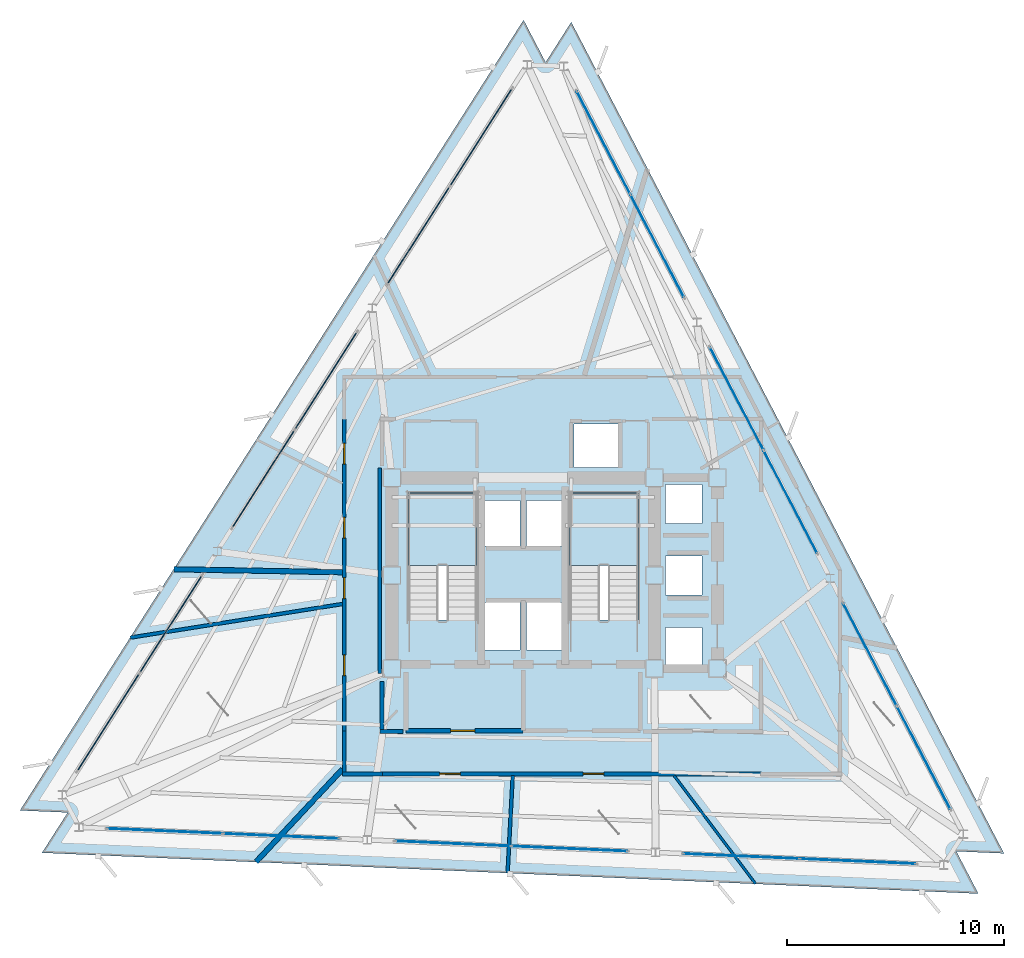
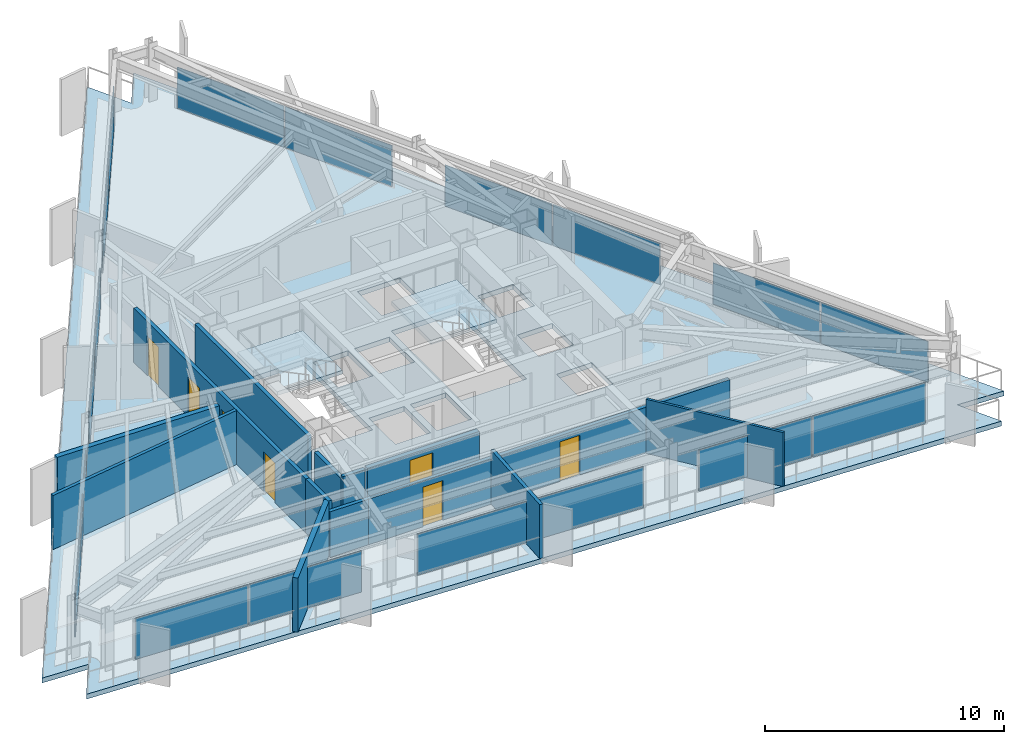
# One storey, part 7 of 12: 18 plates, 13 walls, 7 doors, 3 slabs, 7 openings, 11 elements without a shape of their own.
"""IFC4 building model written with IfcOpenShell, lengths in metres."""

from ifc_helpers import new_model, si_unit, direction, frame, frame_2d, origin, origin_2d, place, context, subcontext, project, spatial, polyline, rectangle, outline, extrude, material, layer, layer_set, type_object, element, fill, aggregate, save


model = new_model("IFC4")

# Units and contexts
model_context = context("Model", 3, precision=1e-05, world=origin(), true_north=direction((0.0, 1.0)))
body_context = subcontext(model_context, "Body", "Model", "MODEL_VIEW")
ifc_project = project(units=[si_unit("LENGTHUNIT", "METRE"), si_unit("AREAUNIT", "SQUARE_METRE"), si_unit("VOLUMEUNIT", "CUBIC_METRE"), si_unit("PLANEANGLEUNIT", "RADIAN"), si_unit("MASSUNIT", "GRAM", prefix="KILO")], contexts=[model_context])

# Site, building, storey
site_placement = place(None, origin())
site = spatial("IfcSite", under=ifc_project, at=site_placement, CompositionType="ELEMENT")
building_placement = place(site_placement, origin())
building = spatial("IfcBuilding", under=site, at=building_placement, Name="Rocaltana Carrier Exchange", CompositionType="ELEMENT")
storey_placement = place(building_placement, frame((0.0, 0.0, 141.1201171875)))
storey = spatial("IfcBuildingStorey", under=building, at=storey_placement, Name="L44", CompositionType="ELEMENT", Elevation=141.1201171875)

# Curtain wall, plates
ifc_material_1 = material(Name="Aluminium 6063-T6", Category="aluminium")
ifc_layer_1 = layer(ifc_material_1, 0.14990234375)
ifc_layer_set_1 = layer_set([ifc_layer_1], Name="Aluminium 6063-T6")
curtain_wall_type = type_object("IfcCurtainWallType", Name="Mid-Tower Unitised Curtain Wall CW-03", PredefinedType="NOTDEFINED", material=ifc_layer_set_1)
curtain_wall_1_placement = place(storey_placement, origin())
curtain_wall_1 = element("IfcCurtainWall", 1, at=curtain_wall_1_placement, inside=storey, type_object=curtain_wall_type, Name="L44 CW-03 Run CW-L44-F1S1", PredefinedType="NOTDEFINED")
ifc_material_2 = material(Name="Tempered Laminated Glass", Category="glass")
ifc_layer_2 = layer(ifc_material_2, 0.0400390625)
ifc_layer_set_2 = layer_set([ifc_layer_2], Name="Tempered Laminated Glass")
plate_type = type_object("IfcPlateType", Name="CW-03 Stone-Insulated Vision Panel", PredefinedType="CURTAIN_PANEL", material=ifc_layer_set_2)
plate_1_placement = place(storey_placement, frame((18.460693359375, -8.4111328125, 0.06005859375), z_axis=(0.0, 0.0, 1.0), x_axis=(-0.461750348962, 0.887009929614, 0.0)))
plate_1 = element("IfcPlate", 2, at=plate_1_placement, type_object=plate_type, Name="CW-03 panel 1.1", PredefinedType="CURTAIN_PANEL", context=body_context, shape_type="SweptSolid", body=[
    extrude(rectangle(XDim=5.31005859375, YDim=0.0400390625, at=origin_2d()), origin(), (0.0, 0.0, 1.0), 2.097900390625),
])
plate_2_placement = place(storey_placement, frame((15.98095703125, -3.64794921875, 0.06005859375), z_axis=(0.0, 0.0, 1.0), x_axis=(-0.461750348962, 0.887009929614, 0.0)))
plate_2 = element("IfcPlate", 3, at=plate_2_placement, type_object=plate_type, Name="CW-03 panel 2.1", PredefinedType="CURTAIN_PANEL", context=body_context, shape_type="SweptSolid", body=[
    extrude(rectangle(XDim=5.31005859375, YDim=0.0400390625, at=origin_2d()), origin(), (0.0, 0.0, 1.0), 2.097900390625),
])
aggregate(curtain_wall_1, [plate_1, plate_2])

curtain_wall_2_placement = place(storey_placement, origin())
curtain_wall_2 = element("IfcCurtainWall", 4, at=curtain_wall_2_placement, inside=storey, type_object=curtain_wall_type, Name="L44 CW-03 Run CW-L44-F1S2", PredefinedType="NOTDEFINED")
plate_3_placement = place(storey_placement, frame((12.3193359375, 3.385986328125, 0.06005859375), z_axis=(0.0, 0.0, 1.0), x_axis=(-0.461746856235, 0.887011747812, 0.0)))
plate_3 = element("IfcPlate", 5, at=plate_3_placement, type_object=plate_type, Name="CW-03 panel 1.1", PredefinedType="CURTAIN_PANEL", context=body_context, shape_type="SweptSolid", body=[
    extrude(rectangle(XDim=5.309814453125, YDim=0.0400390625, at=origin_2d()), origin(), (0.0, 0.0, 1.0), 2.097900390625),
])
plate_4_placement = place(storey_placement, frame((9.83984375, 8.1494140625, 0.06005859375), z_axis=(0.0, 0.0, 1.0), x_axis=(-0.461746856235, 0.887011747812, 0.0)))
plate_4 = element("IfcPlate", 6, at=plate_4_placement, type_object=plate_type, Name="CW-03 panel 2.1", PredefinedType="CURTAIN_PANEL", context=body_context, shape_type="SweptSolid", body=[
    extrude(rectangle(XDim=5.309814453125, YDim=0.0400390625, at=origin_2d()), origin(), (0.0, 0.0, 1.0), 2.097900390625),
])
aggregate(curtain_wall_2, [plate_3, plate_4])

curtain_wall_3_placement = place(storey_placement, origin())
curtain_wall_3 = element("IfcCurtainWall", 7, at=curtain_wall_3_placement, inside=storey, type_object=curtain_wall_type, Name="L44 CW-03 Run CW-L44-F1S3", PredefinedType="NOTDEFINED")
plate_5_placement = place(storey_placement, frame((6.17822265625, 15.183349609375, 0.06005859375), z_axis=(0.0, 0.0, 1.0), x_axis=(-0.461754141383, 0.887007955385, 0.0)))
plate_5 = element("IfcPlate", 8, at=plate_5_placement, type_object=plate_type, Name="CW-03 panel 1.1", PredefinedType="CURTAIN_PANEL", context=body_context, shape_type="SweptSolid", body=[
    extrude(rectangle(XDim=5.31005859375, YDim=0.0400390625, at=origin_2d()), origin(), (0.0, 0.0, 1.0), 2.097900390625),
])
plate_6_placement = place(storey_placement, frame((3.698486328125, 19.946533203125, 0.06005859375), z_axis=(0.0, 0.0, 1.0), x_axis=(-0.461754141383, 0.887007955385, 0.0)))
plate_6 = element("IfcPlate", 9, at=plate_6_placement, type_object=plate_type, Name="CW-03 panel 2.1", PredefinedType="CURTAIN_PANEL", context=body_context, shape_type="SweptSolid", body=[
    extrude(rectangle(XDim=5.31005859375, YDim=0.0400390625, at=origin_2d()), origin(), (0.0, 0.0, 1.0), 2.097900390625),
])
aggregate(curtain_wall_3, [plate_5, plate_6])

curtain_wall_4_placement = place(storey_placement, origin())
curtain_wall_4 = element("IfcCurtainWall", 10, at=curtain_wall_4_placement, inside=storey, type_object=curtain_wall_type, Name="L44 CW-03 Run CW-L44-F2S1", PredefinedType="NOTDEFINED")
plate_7_placement = place(storey_placement, frame((-1.946044921875, 20.19287109375, 0.06005859375), z_axis=(0.0, 0.0, 1.0), x_axis=(-0.537300801443, -0.843390685726, 0.0)))
plate_7 = element("IfcPlate", 11, at=plate_7_placement, type_object=plate_type, Name="CW-03 panel 1.1", PredefinedType="CURTAIN_PANEL", context=body_context, shape_type="SweptSolid", body=[
    extrude(rectangle(XDim=5.31005859375, YDim=0.0400390625, at=origin_2d()), origin(), (0.0, 0.0, 1.0), 2.097900390625),
])
plate_8_placement = place(storey_placement, frame((-4.831298828125, 15.663818359375, 0.06005859375), z_axis=(0.0, 0.0, 1.0), x_axis=(-0.537300801443, -0.843390685726, 0.0)))
plate_8 = element("IfcPlate", 12, at=plate_8_placement, type_object=plate_type, Name="CW-03 panel 2.1", PredefinedType="CURTAIN_PANEL", context=body_context, shape_type="SweptSolid", body=[
    extrude(rectangle(XDim=5.31005859375, YDim=0.0400390625, at=origin_2d()), origin(), (0.0, 0.0, 1.0), 2.097900390625),
])
aggregate(curtain_wall_4, [plate_7, plate_8])

curtain_wall_5_placement = place(storey_placement, origin())
curtain_wall_5 = element("IfcCurtainWall", 13, at=curtain_wall_5_placement, inside=storey, type_object=curtain_wall_type, Name="L44 CW-03 Run CW-L44-F2S2", PredefinedType="NOTDEFINED")
plate_9_placement = place(storey_placement, frame((-9.092041015625, 8.975830078125, 0.06005859375), z_axis=(0.0, 0.0, 1.0), x_axis=(-0.537300801443, -0.843390685726, 0.0)))
plate_9 = element("IfcPlate", 14, at=plate_9_placement, type_object=plate_type, Name="CW-03 panel 1.1", PredefinedType="CURTAIN_PANEL", context=body_context, shape_type="SweptSolid", body=[
    extrude(rectangle(XDim=5.31005859375, YDim=0.0400390625, at=origin_2d()), origin(), (0.0, 0.0, 1.0), 2.097900390625),
])
plate_10_placement = place(storey_placement, frame((-11.977294921875, 4.44677734375, 0.06005859375), z_axis=(0.0, 0.0, 1.0), x_axis=(-0.537300801443, -0.843390685726, 0.0)))
plate_10 = element("IfcPlate", 15, at=plate_10_placement, type_object=plate_type, Name="CW-03 panel 2.1", PredefinedType="CURTAIN_PANEL", context=body_context, shape_type="SweptSolid", body=[
    extrude(rectangle(XDim=5.31005859375, YDim=0.0400390625, at=origin_2d()), origin(), (0.0, 0.0, 1.0), 2.097900390625),
])
aggregate(curtain_wall_5, [plate_9, plate_10])

curtain_wall_6_placement = place(storey_placement, origin())
curtain_wall_6 = element("IfcCurtainWall", 16, at=curtain_wall_6_placement, inside=storey, type_object=curtain_wall_type, Name="L44 CW-03 Run CW-L44-F2S3", PredefinedType="NOTDEFINED")
plate_11_placement = place(storey_placement, frame((-16.23828125, -2.2412109375, 0.06005859375), z_axis=(0.0, 0.0, 1.0), x_axis=(-0.537300801443, -0.843390685726, 0.0)))
plate_11 = element("IfcPlate", 17, at=plate_11_placement, type_object=plate_type, Name="CW-03 panel 1.1", PredefinedType="CURTAIN_PANEL", context=body_context, shape_type="SweptSolid", body=[
    extrude(rectangle(XDim=5.31005859375, YDim=0.0400390625, at=origin_2d()), origin(), (0.0, 0.0, 1.0), 2.097900390625),
])
plate_12_placement = place(storey_placement, frame((-19.12353515625, -6.770263671875, 0.06005859375), z_axis=(0.0, 0.0, 1.0), x_axis=(-0.537300801443, -0.843390685726, 0.0)))
plate_12 = element("IfcPlate", 18, at=plate_12_placement, type_object=plate_type, Name="CW-03 panel 2.1", PredefinedType="CURTAIN_PANEL", context=body_context, shape_type="SweptSolid", body=[
    extrude(rectangle(XDim=5.31005859375, YDim=0.0400390625, at=origin_2d()), origin(), (0.0, 0.0, 1.0), 2.097900390625),
])
aggregate(curtain_wall_6, [plate_11, plate_12])

curtain_wall_7_placement = place(storey_placement, origin())
curtain_wall_7 = element("IfcCurtainWall", 19, at=curtain_wall_7_placement, inside=storey, type_object=curtain_wall_type, Name="L44 CW-03 Run CW-L44-F3S1", PredefinedType="NOTDEFINED")
plate_13_placement = place(storey_placement, frame((-16.5146484375, -11.78173828125, 0.06005859375), z_axis=(0.0, 0.0, 1.0), x_axis=(0.999047789154, -0.043629290456, 0.0)))
plate_13 = element("IfcPlate", 20, at=plate_13_placement, type_object=plate_type, Name="CW-03 panel 1.1", PredefinedType="CURTAIN_PANEL", context=body_context, shape_type="SweptSolid", body=[
    extrude(rectangle(XDim=5.31005859375, YDim=0.0400390625, at=origin_2d()), origin(), (0.0, 0.0, 1.0), 2.097900390625),
])
plate_14_placement = place(storey_placement, frame((-11.149658203125, -12.01611328125, 0.06005859375), z_axis=(0.0, 0.0, 1.0), x_axis=(0.999047789154, -0.043629290456, 0.0)))
plate_14 = element("IfcPlate", 21, at=plate_14_placement, type_object=plate_type, Name="CW-03 panel 2.1", PredefinedType="CURTAIN_PANEL", context=body_context, shape_type="SweptSolid", body=[
    extrude(rectangle(XDim=5.31005859375, YDim=0.0400390625, at=origin_2d()), origin(), (0.0, 0.0, 1.0), 2.097900390625),
])
aggregate(curtain_wall_7, [plate_13, plate_14])

curtain_wall_8_placement = place(storey_placement, origin())
curtain_wall_8 = element("IfcCurtainWall", 22, at=curtain_wall_8_placement, inside=storey, type_object=curtain_wall_type, Name="L44 CW-03 Run CW-L44-F3S2", PredefinedType="NOTDEFINED")
plate_15_placement = place(storey_placement, frame((-3.227294921875, -12.36181640625, 0.06005859375), z_axis=(0.0, 0.0, 1.0), x_axis=(0.999048175081, -0.043620452398, 0.0)))
plate_15 = element("IfcPlate", 23, at=plate_15_placement, type_object=plate_type, Name="CW-03 panel 1.1", PredefinedType="CURTAIN_PANEL", context=body_context, shape_type="SweptSolid", body=[
    extrude(rectangle(XDim=5.31005859375, YDim=0.0400390625, at=origin_2d()), origin(), (0.0, 0.0, 1.0), 2.097900390625),
])
plate_16_placement = place(storey_placement, frame((2.1376953125, -12.59619140625, 0.06005859375), z_axis=(0.0, 0.0, 1.0), x_axis=(0.999048175081, -0.043620452398, 0.0)))
plate_16 = element("IfcPlate", 24, at=plate_16_placement, type_object=plate_type, Name="CW-03 panel 2.1", PredefinedType="CURTAIN_PANEL", context=body_context, shape_type="SweptSolid", body=[
    extrude(rectangle(XDim=5.31005859375, YDim=0.0400390625, at=origin_2d()), origin(), (0.0, 0.0, 1.0), 2.097900390625),
])
aggregate(curtain_wall_8, [plate_15, plate_16])

curtain_wall_9_placement = place(storey_placement, origin())
curtain_wall_9 = element("IfcCurtainWall", 25, at=curtain_wall_9_placement, inside=storey, type_object=curtain_wall_type, Name="L44 CW-03 Run CW-L44-F3S3", PredefinedType="NOTDEFINED")
plate_17_placement = place(storey_placement, frame((10.06005859375, -12.942138671875, 0.06005859375), z_axis=(0.0, 0.0, 1.0), x_axis=(0.999047789154, -0.043629290456, 0.0)))
plate_17 = element("IfcPlate", 26, at=plate_17_placement, type_object=plate_type, Name="CW-03 panel 1.1", PredefinedType="CURTAIN_PANEL", context=body_context, shape_type="SweptSolid", body=[
    extrude(rectangle(XDim=5.31005859375, YDim=0.0400390625, at=origin_2d()), origin(), (0.0, 0.0, 1.0), 2.097900390625),
])
plate_18_placement = place(storey_placement, frame((15.425048828125, -13.17626953125, 0.06005859375), z_axis=(0.0, 0.0, 1.0), x_axis=(0.999047789154, -0.043629290456, 0.0)))
plate_18 = element("IfcPlate", 27, at=plate_18_placement, type_object=plate_type, Name="CW-03 panel 2.1", PredefinedType="CURTAIN_PANEL", context=body_context, shape_type="SweptSolid", body=[
    extrude(rectangle(XDim=5.31005859375, YDim=0.0400390625, at=origin_2d()), origin(), (0.0, 0.0, 1.0), 2.097900390625),
])
aggregate(curtain_wall_9, [plate_17, plate_18])

# Slab
ifc_material_3 = material(Name="Concrete C50/60", Category="concrete")
ifc_layer_3 = layer(ifc_material_3, 0.25)
ifc_layer_set_3 = layer_set([ifc_layer_3], Name="Concrete C50/60")
slab_type_1 = type_object("IfcSlabType", Name="Mid-Zone Tower Slab 250", PredefinedType="FLOOR", material=ifc_layer_set_3)
slab_1_placement = place(storey_placement, frame((0.0, 0.0, -0.25)))
element("IfcSlab", 28, at=slab_1_placement, inside=storey, type_object=slab_type_1, Name="L44 Structural Floor Slab", PredefinedType="FLOOR", context=body_context, shape_type="SweptSolid", body=[
    extrude(outline(polyline([(20.97998046875, -14.669921875), (19.964111328125, -12.718505859375), (22.162109375, -12.814697265625), (2.214599609375, 25.50439453125), (1.032470703125, 23.648681640625), (0.0166015625, 25.600341796875), (-23.194580078125, -10.834228515625), (-20.996826171875, -10.93017578125), (-22.1787109375, -12.78564453125), (20.97998046875, -14.669921875)]), holes=[polyline([(-5.300048828125, -2.06005859375), (-2.139892578125, -2.06005859375), (-2.139892578125, 3.800048828125), (-5.300048828125, 3.800048828125), (-5.300048828125, -2.06005859375)]), polyline([(2.139892578125, -2.06005859375), (5.300048828125, -2.06005859375), (5.300048828125, 3.800048828125), (2.139892578125, 3.800048828125), (2.139892578125, -2.06005859375)]), polyline([(-1.85009765625, -3.449951171875), (-0.14990234375, -3.449951171875), (-0.14990234375, -1.25), (-1.85009765625, -1.25), (-1.85009765625, -3.449951171875)]), polyline([(0.14990234375, -3.449951171875), (1.85009765625, -3.449951171875), (1.85009765625, -1.25), (0.14990234375, -1.25), (0.14990234375, -3.449951171875)]), polyline([(2.35009765625, 4.97998046875), (4.39990234375, 4.97998046875), (4.39990234375, 6.97998046875), (2.35009765625, 6.97998046875), (2.35009765625, 4.97998046875)]), polyline([(-1.85009765625, 1.35009765625), (-0.14990234375, 1.35009765625), (-0.14990234375, 3.449951171875), (-1.85009765625, 3.449951171875), (-1.85009765625, 1.35009765625)]), polyline([(0.14990234375, 1.35009765625), (1.85009765625, 1.35009765625), (1.85009765625, 3.449951171875), (0.14990234375, 3.449951171875), (0.14990234375, 1.35009765625)]), polyline([(6.550048828125, -4.199951171875), (8.25, -4.199951171875), (8.25, -2.39990234375), (6.550048828125, -2.39990234375), (6.550048828125, -4.199951171875)]), polyline([(6.550048828125, -0.89990234375), (8.25, -0.89990234375), (8.25, 0.89990234375), (6.550048828125, 0.89990234375), (6.550048828125, -0.89990234375)]), polyline([(6.550048828125, 2.39990234375), (8.25, 2.39990234375), (8.25, 4.199951171875), (6.550048828125, 4.199951171875), (6.550048828125, 2.39990234375)])]), origin(), (0.0, 0.0, 1.0), 0.25),
])

# Stair, slab
ifc_material_4 = material(Name="Precast concrete C45/55", Category="concrete")
stair_type = type_object("IfcStairType", Name="Standard Dog-Leg Stair 160", PredefinedType="HALF_TURN_STAIR", material=ifc_material_4)
stair_1_placement = place(storey_placement, origin())
stair_1 = element("IfcStair", 29, at=stair_1_placement, inside=storey, type_object=stair_type, Name="L44 Core West Exit Stair ST-1", PredefinedType="HALF_TURN_STAIR")
ifc_material_5 = material(Name="Precast concrete C45/55", Category="concrete")
ifc_layer_4 = layer(ifc_material_5, 0.199951171875)
ifc_layer_set_4 = layer_set([ifc_layer_4], Name="Precast concrete C45/55")
slab_type_2 = type_object("IfcSlabType", Name="Precast Stair Half-Landing 200", PredefinedType="LANDING", material=ifc_layer_set_4)
slab_2_placement = place(storey_placement, frame((0.0, 0.0, 1.31982421875)))
slab_2 = element("IfcSlab", 30, at=slab_2_placement, type_object=slab_type_2, Name="ST-1 landing 1", PredefinedType="LANDING", context=body_context, shape_type="SweptSolid", body=[
    extrude(outline(polyline([(-2.139892578125, 0.4599609375), (-2.139892578125, 3.800048828125), (-5.300048828125, 3.800048828125), (-5.300048828125, 0.4599609375), (-2.139892578125, 0.4599609375)])), origin(), (0.0, 0.0, 1.0), 0.199951171875),
])
aggregate(stair_1, [slab_2])

stair_2_placement = place(storey_placement, origin())
stair_2 = element("IfcStair", 31, at=stair_2_placement, inside=storey, type_object=stair_type, Name="L44 Core East Exit Stair ST-2", PredefinedType="HALF_TURN_STAIR")
slab_3_placement = place(storey_placement, frame((0.0, 0.0, 1.31982421875)))
slab_3 = element("IfcSlab", 32, at=slab_3_placement, type_object=slab_type_2, Name="ST-2 landing 1", PredefinedType="LANDING", context=body_context, shape_type="SweptSolid", body=[
    extrude(outline(polyline([(5.300048828125, 0.4599609375), (5.300048828125, 3.800048828125), (2.139892578125, 3.800048828125), (2.139892578125, 0.4599609375), (5.300048828125, 0.4599609375)])), origin(), (0.0, 0.0, 1.0), 0.199951171875),
])
aggregate(stair_2, [slab_3])

# Walls
ifc_material_6 = material(Name="Double Acoustic Gypsum Partition", Category="gypsum")
ifc_layer_5 = layer(ifc_material_6, 0.159912109375)
ifc_layer_set_5 = layer_set([ifc_layer_5], Name="Double Acoustic Gypsum Partition")
wall_type_1 = type_object("IfcWallType", Name="Acoustic Studio Partition 160 EI60", PredefinedType="PARTITIONING", material=ifc_layer_set_5)
wall_1_placement = place(storey_placement, frame((-8.330078125, -1.3193359375, 0.0), z_axis=(0.0, 0.0, 1.0), x_axis=(-0.987688868154, -0.156431134128, 0.0)))
element("IfcWall", 33, at=wall_1_placement, inside=storey, type_object=wall_type_1, Name="L44 Suite Divider Wall D1", PredefinedType="PARTITIONING", context=body_context, shape_type="SweptSolid", body=[
    extrude(rectangle(XDim=9.8994140625, YDim=0.159912109375, at=frame_2d((4.94970703125, 0.0))), origin(), (0.0, 0.0, 1.0), 2.762939453125),
])
wall_2_placement = place(storey_placement, frame((-0.483642578125, -9.22998046875, 0.0), z_axis=(0.0, 0.0, 1.0), x_axis=(-0.052321895389, -0.998630271553, 0.0)))
element("IfcWall", 34, at=wall_2_placement, inside=storey, type_object=wall_type_1, Name="L44 Suite Divider Wall D4", PredefinedType="PARTITIONING", context=body_context, shape_type="SweptSolid", body=[
    extrude(rectangle(XDim=4.48876953125, YDim=0.159912109375, at=frame_2d((2.244384765625, 0.0))), origin(), (0.0, 0.0, 1.0), 2.762939453125),
])
ifc_material_7 = material(Name="Gypsum & Steel Stud Partition", Category="steel")
ifc_layer_6 = layer(ifc_material_7, 0.179931640625)
ifc_layer_set_6 = layer_set([ifc_layer_6], Name="Gypsum & Steel Stud Partition")
wall_type_2 = type_object("IfcWallType", Name="Corridor Fire Partition 180 EI60", PredefinedType="PARTITIONING", material=ifc_layer_set_6)
wall_3_placement = place(storey_placement, frame((-6.47998046875, -9.14990234375, 0.0), z_axis=(0.0, 0.0, 1.0), x_axis=(-1.0, 0.0, 0.0)))
element("IfcWall", 35, at=wall_3_placement, inside=storey, type_object=wall_type_2, Name="L44 Corridor Partition 1", PredefinedType="PARTITIONING", context=body_context, shape_type="SweptSolid", body=[
    extrude(rectangle(XDim=1.860107421875, YDim=0.179931640625, at=frame_2d((0.93017578125, 0.0))), origin(), (0.0, 0.0, 1.0), 2.329833984375),
])
wall_4_placement = place(storey_placement, frame((-8.25, -9.06005859375, 0.0), z_axis=(0.0, 0.0, 1.0), x_axis=(0.0, 1.0, 0.0)))
element("IfcWall", 36, at=wall_4_placement, inside=storey, type_object=wall_type_2, Name="L44 Corridor Partition 2", PredefinedType="PARTITIONING", context=body_context, shape_type="SweptSolid", body=[
    extrude(rectangle(XDim=1.880126953125, YDim=0.179931640625, at=frame_2d((0.93994140625, 0.0))), origin(), (0.0, 0.0, 1.0), 2.762939453125),
])

# Wall, openings, doors
wall_5_placement = place(storey_placement, frame((-8.25, -7.219970703125, 0.0), z_axis=(0.0, 0.0, 1.0), x_axis=(0.0, 1.0, 0.0)))
wall_5 = element("IfcWall", 37, at=wall_5_placement, inside=storey, type_object=wall_type_2, Name="L44 Corridor Partition 3", PredefinedType="PARTITIONING", context=body_context, shape_type="SweptSolid", body=[
    extrude(rectangle(XDim=14.43994140625, YDim=0.179931640625, at=frame_2d((7.219970703125, 0.0))), origin(), (0.0, 0.0, 1.0), 2.762939453125),
])
opening_1_placement = place(wall_5_placement, frame((6.153564453125, 0.0, 0.0)))
opening_1 = element("IfcOpeningElement", 38, at=opening_1_placement, cuts=wall_5, Name="Opening D-RM098", PredefinedType="OPENING", context=body_context, shape_type="SweptSolid", body=[
    extrude(rectangle(XDim=0.9599609375, YDim=2.02001953125, at=frame_2d((0.47998046875, 1.010009765625))), frame((0.0, 0.099853515625, 0.0), z_axis=(0.0, -1.0, 0.0), x_axis=(1.0, 0.0, 0.0)), (0.0, 0.0, 1.0), 0.199951171875),
])
opening_2_placement = place(wall_5_placement, frame((2.60009765625, 0.0, 0.0)))
opening_2 = element("IfcOpeningElement", 39, at=opening_2_placement, cuts=wall_5, Name="Opening D-RM098", PredefinedType="OPENING", context=body_context, shape_type="SweptSolid", body=[
    extrude(rectangle(XDim=0.9599609375, YDim=2.02001953125, at=frame_2d((0.47998046875, 1.010009765625))), frame((0.0, 0.099853515625, 0.0), z_axis=(0.0, -1.0, 0.0), x_axis=(1.0, 0.0, 0.0)), (0.0, 0.0, 1.0), 0.199951171875),
])
opening_3_placement = place(wall_5_placement, frame((12.3466796875, 0.0, 0.0)))
opening_3 = element("IfcOpeningElement", 40, at=opening_3_placement, cuts=wall_5, Name="Opening D-RM098", PredefinedType="OPENING", context=body_context, shape_type="SweptSolid", body=[
    extrude(rectangle(XDim=0.9599609375, YDim=2.02001953125, at=frame_2d((0.47998046875, 1.010009765625))), frame((0.0, 0.099853515625, 0.0), z_axis=(0.0, -1.0, 0.0), x_axis=(1.0, 0.0, 0.0)), (0.0, 0.0, 1.0), 0.199951171875),
])
opening_4_placement = place(wall_5_placement, frame((8.935791015625, 0.0, 0.0)))
opening_4 = element("IfcOpeningElement", 41, at=opening_4_placement, cuts=wall_5, Name="Opening D-RM098", PredefinedType="OPENING", context=body_context, shape_type="SweptSolid", body=[
    extrude(rectangle(XDim=0.9599609375, YDim=2.02001953125, at=frame_2d((0.47998046875, 1.010009765625))), frame((0.0, 0.099853515625, 0.0), z_axis=(0.0, -1.0, 0.0), x_axis=(1.0, 0.0, 0.0)), (0.0, 0.0, 1.0), 0.199951171875),
])
ifc_material_8 = material(Name="Engineered Hardwood Timber", Category="wood")
door_type_1 = type_object("IfcDoorType", Name="Workspace Single Door 960x2020", OperationType="NOTDEFINED", PredefinedType="DOOR", material=ifc_material_8)
door_1_placement = place(opening_1_placement, origin())
door_1 = element("IfcDoor", 42, at=door_1_placement, inside=storey, type_object=door_type_1, Name="L44 Client Reception Foyer Entrance Door", OperationType="SINGLE_SWING_RIGHT", OverallHeight=2.02001953125, OverallWidth=0.9599609375, PredefinedType="DOOR", context=body_context, shape_type="SweptSolid", body=[
    extrude(rectangle(XDim=0.9599609375, YDim=2.02001953125, at=frame_2d((0.47998046875, 1.010009765625))), frame((0.0, 0.02490234375, 0.0), z_axis=(0.0, -1.0, 0.0), x_axis=(1.0, 0.0, 0.0)), (0.0, 0.0, 1.0), 0.050048828125),
])
fill(opening_1, door_1)
door_2_placement = place(opening_2_placement, origin())
door_2 = element("IfcDoor", 43, at=door_2_placement, inside=storey, type_object=door_type_1, Name="L44 Staff Break Pantry Entrance Door", OperationType="SINGLE_SWING_LEFT", OverallHeight=2.02001953125, OverallWidth=0.9599609375, PredefinedType="DOOR", context=body_context, shape_type="SweptSolid", body=[
    extrude(rectangle(XDim=0.9599609375, YDim=2.02001953125, at=frame_2d((0.47998046875, 1.010009765625))), frame((0.0, 0.02490234375, 0.0), z_axis=(0.0, -1.0, 0.0), x_axis=(1.0, 0.0, 0.0)), (0.0, 0.0, 1.0), 0.050048828125),
])
fill(opening_2, door_2)
door_3_placement = place(opening_3_placement, origin())
door_3 = element("IfcDoor", 44, at=door_3_placement, inside=storey, type_object=door_type_1, Name="L44 Client Reception Foyer Entrance Door", OperationType="SINGLE_SWING_RIGHT", OverallHeight=2.02001953125, OverallWidth=0.9599609375, PredefinedType="DOOR", context=body_context, shape_type="SweptSolid", body=[
    extrude(rectangle(XDim=0.9599609375, YDim=2.02001953125, at=frame_2d((0.47998046875, 1.010009765625))), frame((0.0, 0.02490234375, 0.0), z_axis=(0.0, -1.0, 0.0), x_axis=(1.0, 0.0, 0.0)), (0.0, 0.0, 1.0), 0.050048828125),
])
fill(opening_3, door_3)
door_4_placement = place(opening_4_placement, origin())
door_4 = element("IfcDoor", 45, at=door_4_placement, inside=storey, type_object=door_type_1, Name="L44 Staff Break Pantry Entrance Door", OperationType="SINGLE_SWING_LEFT", OverallHeight=2.02001953125, OverallWidth=0.9599609375, PredefinedType="DOOR", context=body_context, shape_type="SweptSolid", body=[
    extrude(rectangle(XDim=0.9599609375, YDim=2.02001953125, at=frame_2d((0.47998046875, 1.010009765625))), frame((0.0, 0.02490234375, 0.0), z_axis=(0.0, -1.0, 0.0), x_axis=(1.0, 0.0, 0.0)), (0.0, 0.0, 1.0), 0.050048828125),
])
fill(opening_4, door_4)

wall_6_placement = place(storey_placement, frame((10.97998046875, -9.14990234375, 0.0), z_axis=(0.0, 0.0, 1.0), x_axis=(-1.0, 0.0, 0.0)))
wall_6 = element("IfcWall", 46, at=wall_6_placement, inside=storey, type_object=wall_type_2, Name="L44 Corridor Partition 11", PredefinedType="PARTITIONING", context=body_context, shape_type="SweptSolid", body=[
    extrude(rectangle(XDim=17.5, YDim=0.179931640625, at=frame_2d((8.75, 0.0))), origin(), (0.0, 0.0, 1.0), 2.329833984375),
])
opening_5_placement = place(wall_6_placement, frame((13.87158203125, 0.0, 0.0)))
opening_5 = element("IfcOpeningElement", 47, at=opening_5_placement, cuts=wall_6, Name="Opening D-RM098", PredefinedType="OPENING", context=body_context, shape_type="SweptSolid", body=[
    extrude(rectangle(XDim=0.9599609375, YDim=2.02001953125, at=frame_2d((0.47998046875, 1.010009765625))), frame((0.0, 0.099853515625, 0.0), z_axis=(0.0, -1.0, 0.0), x_axis=(1.0, 0.0, 0.0)), (0.0, 0.0, 1.0), 0.199951171875),
])
opening_6_placement = place(wall_6_placement, frame((7.255615234375, 0.0, 0.0)))
opening_6 = element("IfcOpeningElement", 48, at=opening_6_placement, cuts=wall_6, Name="Opening D-RM098", PredefinedType="OPENING", context=body_context, shape_type="SweptSolid", body=[
    extrude(rectangle(XDim=0.9599609375, YDim=2.02001953125, at=frame_2d((0.47998046875, 1.010009765625))), frame((0.0, 0.099853515625, 0.0), z_axis=(0.0, -1.0, 0.0), x_axis=(1.0, 0.0, 0.0)), (0.0, 0.0, 1.0), 0.199951171875),
])
door_5_placement = place(opening_5_placement, origin())
door_5 = element("IfcDoor", 49, at=door_5_placement, inside=storey, type_object=door_type_1, Name="L44 Client Reception Foyer Entrance Door", OperationType="SINGLE_SWING_RIGHT", OverallHeight=2.02001953125, OverallWidth=0.9599609375, PredefinedType="DOOR", context=body_context, shape_type="SweptSolid", body=[
    extrude(rectangle(XDim=0.9599609375, YDim=2.02001953125, at=frame_2d((0.47998046875, 1.010009765625))), frame((0.0, 0.02490234375, 0.0), z_axis=(0.0, -1.0, 0.0), x_axis=(1.0, 0.0, 0.0)), (0.0, 0.0, 1.0), 0.050048828125),
])
fill(opening_5, door_5)
door_6_placement = place(opening_6_placement, origin())
door_6 = element("IfcDoor", 50, at=door_6_placement, inside=storey, type_object=door_type_1, Name="L44 Cloud Architecture Office Entrance Door", OperationType="SINGLE_SWING_LEFT", OverallHeight=2.02001953125, OverallWidth=0.9599609375, PredefinedType="DOOR", context=body_context, shape_type="SweptSolid", body=[
    extrude(rectangle(XDim=0.9599609375, YDim=2.02001953125, at=frame_2d((0.47998046875, 1.010009765625))), frame((0.0, 0.02490234375, 0.0), z_axis=(0.0, -1.0, 0.0), x_axis=(1.0, 0.0, 0.0)), (0.0, 0.0, 1.0), 0.050048828125),
])
fill(opening_6, door_6)

# Walls
wall_7_placement = place(storey_placement, frame((-6.610107421875, 4.93994140625, 0.0), z_axis=(0.0, 0.0, 1.0), x_axis=(0.0, -1.0, 0.0)))
element("IfcWall", 51, at=wall_7_placement, inside=storey, type_object=wall_type_2, Name="L44 Corridor Partition 18", PredefinedType="PARTITIONING", context=body_context, shape_type="SweptSolid", body=[
    extrude(rectangle(XDim=9.4599609375, YDim=0.179931640625, at=frame_2d((4.72998046875, 0.0))), origin(), (0.0, 0.0, 1.0), 2.762939453125),
])
wall_8_placement = place(storey_placement, frame((-6.5, -4.8798828125, 0.0), z_axis=(0.0, 0.0, 1.0), x_axis=(0.0, -1.0, 0.0)))
element("IfcWall", 52, at=wall_8_placement, inside=storey, type_object=wall_type_2, Name="L44 Corridor Partition 19", PredefinedType="PARTITIONING", context=body_context, shape_type="SweptSolid", body=[
    extrude(rectangle(XDim=2.230224609375, YDim=0.179931640625, at=frame_2d((1.115234375, 0.0))), origin(), (0.0, 0.0, 1.0), 2.1318359375),
])
wall_9_placement = place(storey_placement, frame((-6.590087890625, -7.199951171875, 0.0), z_axis=(0.0, 0.0, 1.0), x_axis=(1.0, 0.0, 0.0)))
element("IfcWall", 53, at=wall_9_placement, inside=storey, type_object=wall_type_2, Name="L44 Corridor Partition 20", PredefinedType="PARTITIONING", context=body_context, shape_type="SweptSolid", body=[
    extrude(rectangle(XDim=1.06005859375, YDim=0.179931640625, at=frame_2d((0.530029296875, 0.0))), origin(), (0.0, 0.0, 1.0), 2.329833984375),
])
ifc_material_9 = material(Name="Aluminium 6063-T6 & Acoustic Glass", Category="aluminium")
ifc_layer_7 = layer(ifc_material_9, 0.114990234375)
ifc_layer_set_7 = layer_set([ifc_layer_7], Name="Aluminium 6063-T6 & Acoustic Glass")
wall_type_3 = type_object("IfcWallType", Name="Demountable Glazed Lab Partition 115", PredefinedType="MOVABLE", material=ifc_layer_set_7)
wall_10_placement = place(storey_placement, frame((6.955322265625, -9.22998046875, 0.0), z_axis=(0.0, 0.0, 1.0), x_axis=(0.60180827309, -0.79864059654, 0.0)))
element("IfcWall", 54, at=wall_10_placement, inside=storey, type_object=wall_type_3, Name="L44 Suite Divider Wall D5", PredefinedType="MOVABLE", context=body_context, shape_type="SweptSolid", body=[
    extrude(rectangle(XDim=6.23779296875, YDim=0.114990234375, at=frame_2d((3.118896484375, 0.0))), origin(), (0.0, 0.0, 1.0), 2.762939453125),
])

# Wall, opening, door
ifc_material_10 = material(Name="Autoclaved Aerated Concrete C30/37", Category="concrete")
ifc_layer_8 = layer(ifc_material_10, 0.219970703125)
ifc_layer_set_8 = layer_set([ifc_layer_8], Name="Autoclaved Aerated Concrete C30/37")
wall_type_4 = type_object("IfcWallType", Name="Firefighting Lobby Wall 220 EI120", PredefinedType="PARTITIONING", material=ifc_layer_set_8)
wall_11_placement = place(storey_placement, frame((-5.39990234375, -7.159912109375, 0.0), z_axis=(0.0, 0.0, 1.0), x_axis=(1.0, 0.0, 0.0)))
wall_11 = element("IfcWall", 55, at=wall_11_placement, inside=storey, type_object=wall_type_4, Name="L44 FFL Lobby 1 South Wall", PredefinedType="PARTITIONING", context=body_context, shape_type="SweptSolid", body=[
    extrude(rectangle(XDim=5.39990234375, YDim=0.219970703125, at=frame_2d((2.699951171875, 0.0))), origin(), (0.0, 0.0, 1.0), 2.329833984375),
])
opening_7_placement = place(wall_11_placement, frame((2.050048828125, 0.0, 0.0)))
opening_7 = element("IfcOpeningElement", 56, at=opening_7_placement, cuts=wall_11, Name="Opening D-FF115", PredefinedType="OPENING", context=body_context, shape_type="SweptSolid", body=[
    extrude(rectangle(XDim=1.1201171875, YDim=2.02001953125, at=frame_2d((0.56005859375, 1.010009765625))), frame((0.0, 0.119873046875, 0.0), z_axis=(0.0, -1.0, 0.0), x_axis=(1.0, 0.0, 0.0)), (0.0, 0.0, 1.0), 0.239990234375),
])
ifc_material_11 = material(Name="Hollow Metal Fire Door Assembly", Category="steel")
door_type_2 = type_object("IfcDoorType", Name="Firefighting Lobby Door 1120x2020 FD60S", OperationType="NOTDEFINED", PredefinedType="DOOR", material=ifc_material_11)
door_7_placement = place(opening_7_placement, origin())
door_7 = element("IfcDoor", 57, at=door_7_placement, inside=storey, type_object=door_type_2, Name="L44 Firefighting Lift Lobby 1 Door", OperationType="SINGLE_SWING_RIGHT", OverallHeight=2.02001953125, OverallWidth=1.1201171875, PredefinedType="DOOR", context=body_context, shape_type="SweptSolid", body=[
    extrude(rectangle(XDim=1.1201171875, YDim=2.02001953125, at=frame_2d((0.56005859375, 1.010009765625))), frame((0.0, 0.02490234375, 0.0), z_axis=(0.0, -1.0, 0.0), x_axis=(1.0, 0.0, 0.0)), (0.0, 0.0, 1.0), 0.050048828125),
])
fill(opening_7, door_7)

# Walls
ifc_material_12 = material(Name="Acoustic Calcium Silicate Partition", Category="gypsum")
ifc_layer_9 = layer(ifc_material_12, 0.239990234375)
ifc_layer_set_9 = layer_set([ifc_layer_9], Name="Acoustic Calcium Silicate Partition")
wall_type_5 = type_object("IfcWallType", Name="Heavy Lab Partition 240 EI90", PredefinedType="PARTITIONING", material=ifc_layer_set_9)
wall_12_placement = place(storey_placement, frame((-8.330078125, -8.932861328125, 0.0), z_axis=(0.0, 0.0, 1.0), x_axis=(-0.682004079658, -0.731348367968, 0.0)))
element("IfcWall", 58, at=wall_12_placement, inside=storey, type_object=wall_type_5, Name="L44 Suite Divider Wall D3", PredefinedType="PARTITIONING", context=body_context, shape_type="SweptSolid", body=[
    extrude(rectangle(XDim=5.84326171875, YDim=0.239990234375, at=frame_2d((2.921630859375, 0.0))), origin(), (0.0, 0.0, 1.0), 2.762939453125),
])
wall_13_placement = place(storey_placement, frame((-8.330078125, 0.1455078125, 0.0), z_axis=(0.0, 0.0, 1.0), x_axis=(-0.999848040059, 0.017432635783, 0.0)))
element("IfcWall", 59, at=wall_13_placement, inside=storey, type_object=wall_type_5, Name="L44 Suite Divider Wall D12", PredefinedType="PARTITIONING", context=body_context, shape_type="SweptSolid", body=[
    extrude(rectangle(XDim=7.772705078125, YDim=0.239990234375, at=frame_2d((3.88623046875, 0.0))), origin(), (0.0, 0.0, 1.0), 2.1318359375),
])

save(model, "model.ifc")
